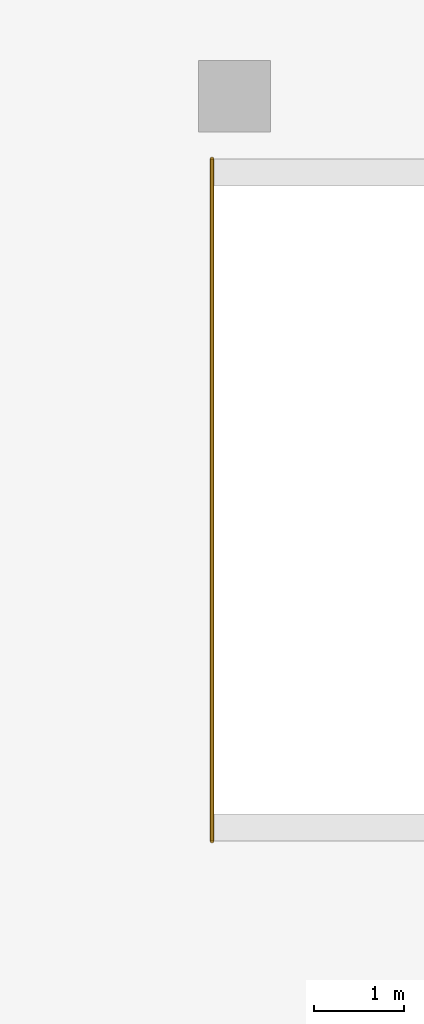
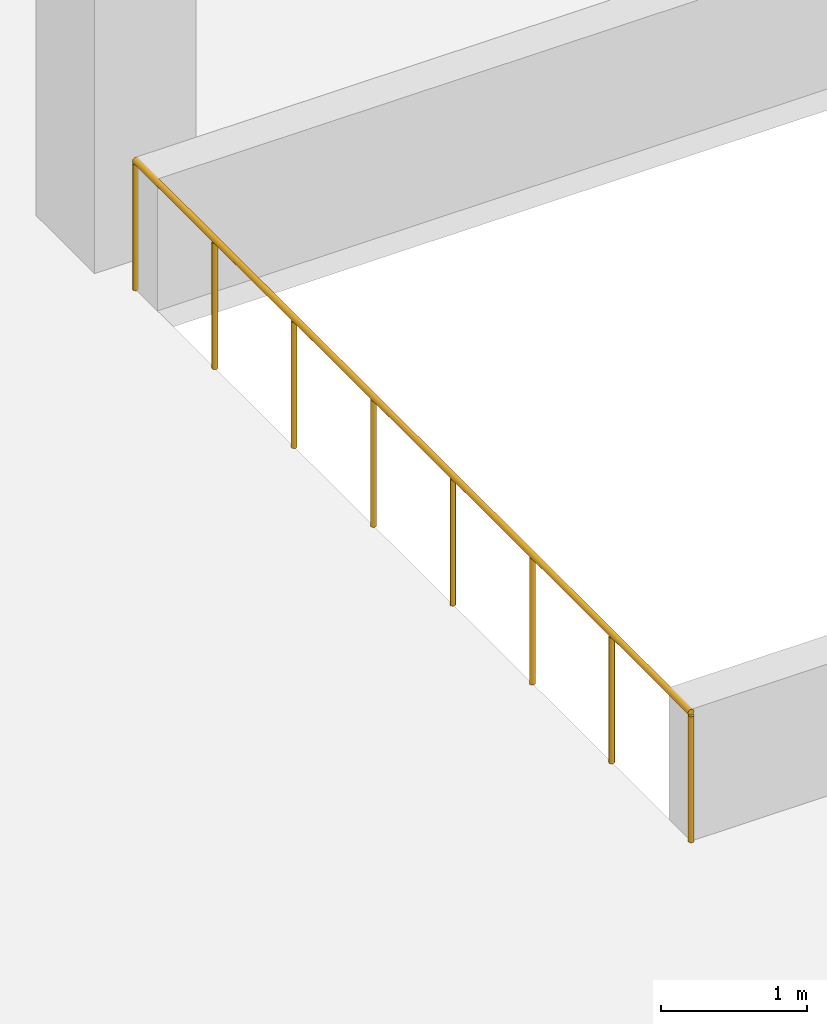
# One storey, part 12 of 12: 1 railing.
"""IFC4 building model written with IfcOpenShell, lengths in metres."""

from ifc_helpers import new_model, si_unit, direction, frame, origin, origin_2d, place, context, subcontext, project, spatial, circle, extrude, material, type_object, element, save


model = new_model("IFC4")

# Units and contexts
model_context = context("Model", 3, precision=1e-05, world=origin(), true_north=direction((0.0, 1.0)))
body_context = subcontext(model_context, "Body", "Model", "MODEL_VIEW")
ifc_project = project(units=[si_unit("LENGTHUNIT", "METRE"), si_unit("AREAUNIT", "SQUARE_METRE"), si_unit("VOLUMEUNIT", "CUBIC_METRE"), si_unit("PLANEANGLEUNIT", "RADIAN"), si_unit("MASSUNIT", "GRAM", prefix="KILO")], contexts=[model_context])

# Site, building, storey
site_placement = place(None, origin())
site = spatial("IfcSite", under=ifc_project, at=site_placement, CompositionType="ELEMENT")
building_placement = place(site_placement, origin())
building = spatial("IfcBuilding", under=site, at=building_placement, Name="Entoto Arch Interchange Tower", CompositionType="ELEMENT")
storey_placement = place(building_placement, frame((0.0, 0.0, -11.0)))
storey = spatial("IfcBuildingStorey", under=building, at=storey_placement, Name="B2", CompositionType="ELEMENT", Elevation=-11.0)

# Railing
ifc_material = material(Name="Steel S355, galvanised", Category="steel")
railing_type = type_object("IfcRailingType", Name="Car ramp guard 1100", PredefinedType="GUARDRAIL", material=ifc_material)
railing_placement = place(storey_placement, frame((29.75, 51.699951171875, 0.0)))
element("IfcRailing", 1, at=railing_placement, inside=storey, type_object=railing_type, Name="Car ramp R3 guard", PredefinedType="GUARDRAIL", context=body_context, shape_type="SweptSolid", body=[
    extrude(circle(Radius=0.02392578125, at=origin_2d()), frame((0.0, 0.0, 1.076171875), z_axis=(0.0, 1.0, 0.0), x_axis=(-1.0, 0.0, 0.0)), (0.0, 0.0, 1.0), 7.60009765625),
    extrude(circle(Radius=0.02099609375, at=origin_2d()), origin(), (0.0, 0.0, 1.0), 1.052001953125),
    extrude(circle(Radius=0.02099609375, at=origin_2d()), frame((0.0, 1.085693359375, 0.0)), (0.0, 0.0, 1.0), 1.052001953125),
    extrude(circle(Radius=0.02099609375, at=origin_2d()), frame((0.0, 2.17138671875, 0.0)), (0.0, 0.0, 1.0), 1.052001953125),
    extrude(circle(Radius=0.02099609375, at=origin_2d()), frame((0.0, 3.257080078125, 0.0)), (0.0, 0.0, 1.0), 1.052001953125),
    extrude(circle(Radius=0.02099609375, at=origin_2d()), frame((0.0, 4.343017578125, 0.0)), (0.0, 0.0, 1.0), 1.052001953125),
    extrude(circle(Radius=0.02099609375, at=origin_2d()), frame((0.0, 5.4287109375, 0.0)), (0.0, 0.0, 1.0), 1.052001953125),
    extrude(circle(Radius=0.02099609375, at=origin_2d()), frame((0.0, 6.514404296875, 0.0)), (0.0, 0.0, 1.0), 1.052001953125),
    extrude(circle(Radius=0.02099609375, at=origin_2d()), frame((0.0, 7.60009765625, 0.0)), (0.0, 0.0, 1.0), 1.052001953125),
])

save(model, "model.ifc")
